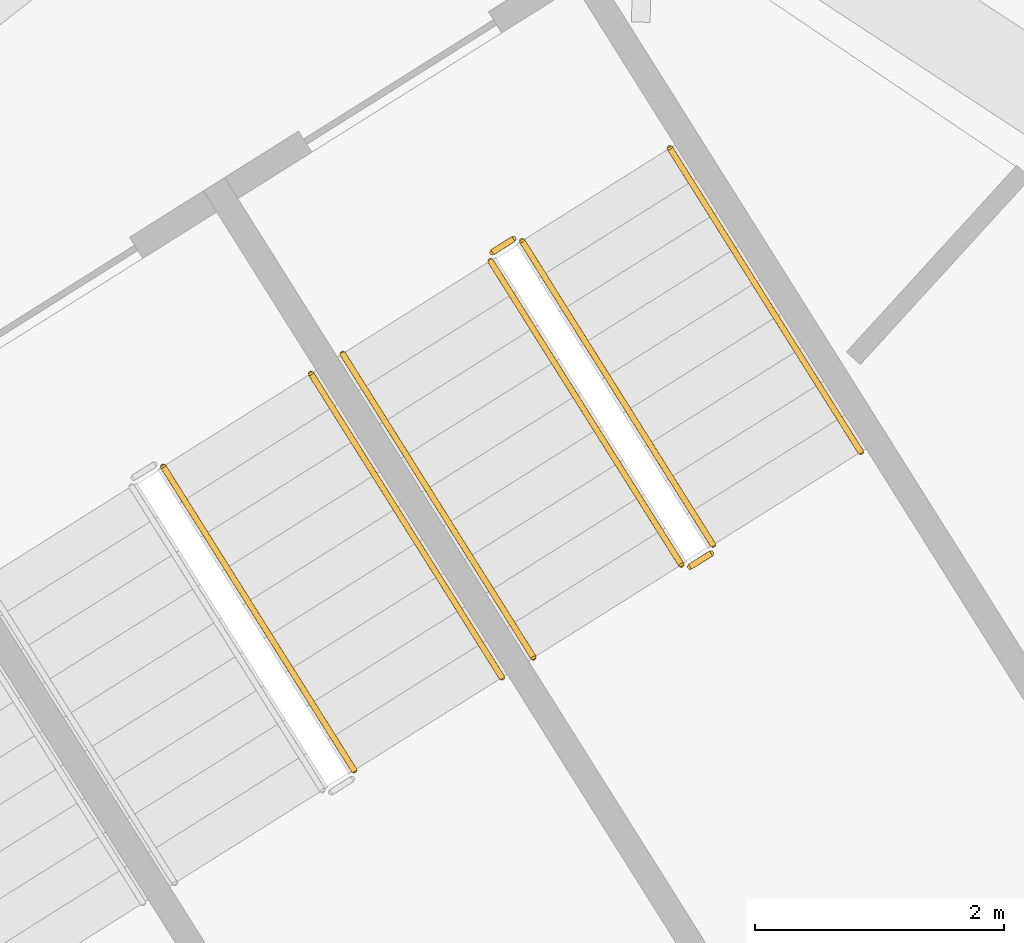
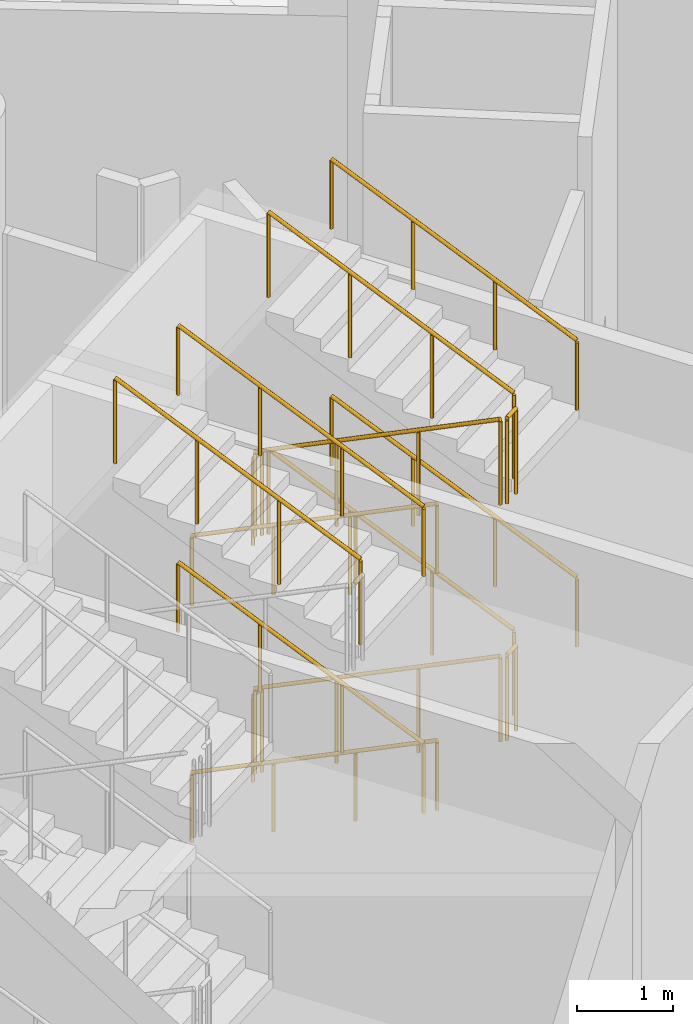
# One storey, part 132 of 173: 15 railings.
"""IFC4 building model written with IfcOpenShell, lengths in metres."""

import ifcopenshell
import ifcopenshell.guid

model = None  # the IFC model being written
_history = None  # IfcOwnerHistory: only IFC2X3 demands one
_inside = {}  # id of a spatial element -> (the spatial element, [elements in it])
_under = {}  # id of a project, library or spatial element -> (it, [spatial elements below it])
_declared = {}  # id of a project -> (the project, [libraries it declares])
_typed = {}  # id of a type object -> (the type object, [elements of that type])
_made_of = {}  # id of a material, layer set ... -> (it, [elements and type objects made of it])


def new_model(schema):
    """Start an empty IFC model of exactly this schema.

    Asked for "IFC4X3", IfcOpenShell would pick the latest addendum, in which some entities
    have other attributes; the version numbers below select the first issue.
    IFC2X3 requires an IfcOwnerHistory on every rooted entity: one is made here for all.
    """
    global model, _history
    if schema == "IFC4X3":
        model = ifcopenshell.file(schema_version=(4, 3, 0, 0))
    else:
        model = ifcopenshell.file(schema=schema)
    _inside.clear()
    _under.clear()
    _declared.clear()
    _typed.clear()
    _made_of.clear()
    _history = None
    if model.schema == "IFC2X3":
        org = make("IfcOrganization", Name="unknown")
        user = make(
            "IfcPersonAndOrganization",
            ThePerson=make("IfcPerson", FamilyName="unknown"),
            TheOrganization=org,
        )
        app = make(
            "IfcApplication",
            ApplicationDeveloper=org,
            Version="unknown",
            ApplicationFullName="unknown",
            ApplicationIdentifier="unknown",
        )
        _history = make(
            "IfcOwnerHistory",
            OwningUser=user,
            OwningApplication=app,
            ChangeAction="ADDED",
            CreationDate=0,
        )
    return model


def make(cls, **values):
    """One entity of the class cls with the attributes given. An attribute that is None is left unset."""
    return model.create_entity(
        cls, **{name: value for name, value in values.items() if value is not None}
    )


def rooted(cls, **values):
    """An entity with a GlobalId (a new one), such as an element, a storey or a relation."""
    return make(cls, GlobalId=ifcopenshell.guid.new(), OwnerHistory=_history, **values)


def si_unit(unit_type, name, prefix=None):
    """IfcSIUnit, for example si_unit("LENGTHUNIT", "METRE", prefix="MILLI")."""
    return make("IfcSIUnit", UnitType=unit_type, Prefix=prefix, Name=name)


def assignment(units):
    """IfcUnitAssignment: the units of a project."""
    return None if units is None else make("IfcUnitAssignment", Units=units)


def point(xyz):
    """IfcCartesianPoint."""
    return None if xyz is None else make("IfcCartesianPoint", Coordinates=xyz)


def direction(xyz):
    """IfcDirection."""
    return None if xyz is None else make("IfcDirection", DirectionRatios=xyz)


def frame(location, z_axis=None, x_axis=None):
    """IfcAxis2Placement3D, a coordinate frame: its origin and axes. An axis left out is left unset."""
    return make(
        "IfcAxis2Placement3D",
        Location=point(location),
        Axis=direction(z_axis),
        RefDirection=direction(x_axis),
    )


def frame_2d(location, x_axis=None):
    """IfcAxis2Placement2D, a coordinate frame in the plane: its origin and x axis."""
    return make(
        "IfcAxis2Placement2D", Location=point(location), RefDirection=direction(x_axis)
    )


def origin():
    """The frame at (0, 0, 0) with its axes left unset."""
    return frame((0.0, 0.0, 0.0))


def origin_2d():
    """The frame at (0, 0) in the plane with its x axis left unset."""
    return frame_2d((0.0, 0.0))


def place(relative_to, where):
    """IfcLocalPlacement: puts the frame where relative to a parent placement (None: the world)."""
    return make(
        "IfcLocalPlacement", PlacementRelTo=relative_to, RelativePlacement=where
    )


def context(
    kind, dimensions, precision=None, world=None, true_north=None, identifier=None
):
    """IfcGeometricRepresentationContext, for example the 3D "Model" context."""
    return make(
        "IfcGeometricRepresentationContext",
        ContextIdentifier=identifier,
        ContextType=kind,
        CoordinateSpaceDimension=dimensions,
        Precision=precision,
        WorldCoordinateSystem=world,
        TrueNorth=true_north,
    )


def subcontext(parent, identifier, kind, view, scale=None):
    """IfcGeometricRepresentationSubContext, for example "Body" below "Model"."""
    return make(
        "IfcGeometricRepresentationSubContext",
        ContextIdentifier=identifier,
        ContextType=kind,
        ParentContext=parent,
        TargetScale=scale,
        TargetView=view,
    )


def project(units=None, contexts=None):
    """IfcProject with its units and contexts."""
    return rooted(
        "IfcProject",
        Name="project",
        RepresentationContexts=contexts,
        UnitsInContext=assignment(units),
    )


def spatial(cls, under=None, at=None, **own):
    """A site, building, storey or space (cls), placed at a placement, below another one or the project."""
    s = rooted(cls, ObjectPlacement=at, **own)
    if under is not None:
        _under.setdefault(under.id(), (under, []))[1].append(s)
    return s


def profile(cls, at=None, kind="AREA", **sizes):
    """A parametric profile (cls). Its sizes go by their IFC names, for example OverallWidth=200.0."""
    return make(cls, ProfileType=kind, Position=at, **sizes)


def circle(**sizes):
    """IfcCircleProfileDef."""
    return profile("IfcCircleProfileDef", **sizes)


def extrude(swept, where, along, depth):
    """IfcExtrudedAreaSolid: the profile swept, set in the frame where, extruded along a direction by depth."""
    return make(
        "IfcExtrudedAreaSolid",
        SweptArea=swept,
        Position=where,
        ExtrudedDirection=direction(along),
        Depth=depth,
    )


def shape(context_of_items, identifier, shape_type, items):
    """IfcShapeRepresentation: the items that make up one representation, for example the "Body"."""
    return make(
        "IfcShapeRepresentation",
        ContextOfItems=context_of_items,
        RepresentationIdentifier=identifier,
        RepresentationType=shape_type,
        Items=items,
    )


def material(Name=None, Category=None):
    """IfcMaterial."""
    return make("IfcMaterial", Name=Name, Category=Category)


def made_of(thing, what):
    """Note that an element or type object is made of a material, layer set ...; save() writes the relation."""
    if what is not None:
        _made_of.setdefault(what.id(), (what, []))[1].append(thing)
    return thing


def type_object(cls, material=None, **own):
    """A type object (cls), such as IfcWallType, which elements share."""
    return made_of(rooted(cls, **own), material)


def element(
    cls,
    number,
    at=None,
    inside=None,
    cuts=None,
    type_object=None,
    material=None,
    context=None,
    identifier="Body",
    shape_type=None,
    held_by="IfcProductDefinitionShape",
    body=None,
    shapes=None,
    **own,
):
    """One element of the class cls, such as IfcWall. Its Tag is "e" and its number.

    at: its placement. inside: the storey or other place that contains it. cuts: it is an
    opening in that element (IfcRelVoidsElement). A single representation is given by context,
    identifier, shape_type and body (its items); several are given by shapes. held_by: the class
    of the entity that holds the representations. save() writes the other relations.
    """
    e = rooted(cls, Tag="e%d" % number, ObjectPlacement=at, **own)
    if body is not None:
        shapes = [shape(context, identifier, shape_type, body)]
    if shapes is not None:
        e.Representation = make(held_by, Representations=shapes)
    if inside is not None:
        _inside.setdefault(inside.id(), (inside, []))[1].append(e)
    if cuts is not None:
        rooted(
            "IfcRelVoidsElement", RelatingBuildingElement=cuts, RelatedOpeningElement=e
        )
    if type_object is not None:
        _typed.setdefault(type_object.id(), (type_object, []))[1].append(e)
    return made_of(e, material)


def aggregate(whole, parts):
    """IfcRelAggregates: a whole, such as a stair, and the parts it consists of."""
    return rooted("IfcRelAggregates", RelatingObject=whole, RelatedObjects=parts)


def save(model, path):
    """Write the relations noted so far, then the file.

    IfcRelAggregates (storeys below a building ...), IfcRelContainedInSpatialStructure (elements
    in a storey), IfcRelDefinesByType, IfcRelAssociatesMaterial and IfcRelDeclares: one each for
    every whole, place, type object, material and project.
    """
    for whole, parts in _under.values():
        aggregate(whole, parts)
    for where, things in _inside.values():
        rooted(
            "IfcRelContainedInSpatialStructure",
            RelatedElements=things,
            RelatingStructure=where,
        )
    for kind, things in _typed.values():
        rooted("IfcRelDefinesByType", RelatedObjects=things, RelatingType=kind)
    for what, things in _made_of.values():
        rooted("IfcRelAssociatesMaterial", RelatedObjects=things, RelatingMaterial=what)
    for by, libraries in _declared.values():
        rooted("IfcRelDeclares", RelatingContext=by, RelatedDefinitions=libraries)
    model.write(path)


model = new_model("IFC4")

# Units and contexts
model_context = context("Model", 3, precision=1e-05, world=origin(), true_north=direction((0.0, 1.0)))
body_context = subcontext(model_context, "Body", "Model", "MODEL_VIEW")
ifc_project = project(units=[si_unit("LENGTHUNIT", "METRE"), si_unit("AREAUNIT", "SQUARE_METRE"), si_unit("VOLUMEUNIT", "CUBIC_METRE"), si_unit("PLANEANGLEUNIT", "RADIAN"), si_unit("MASSUNIT", "GRAM", prefix="KILO")], contexts=[model_context])

# Site, building, storey
site_placement = place(None, origin())
site = spatial("IfcSite", under=ifc_project, at=site_placement, CompositionType="ELEMENT")
building_placement = place(site_placement, origin())
building = spatial("IfcBuilding", under=site, at=building_placement, Name="Meseta Stadium", CompositionType="ELEMENT")
storey_placement = place(building_placement, frame((0.0, 0.0, 18.0)))
storey = spatial("IfcBuildingStorey", under=building, at=storey_placement, Name="L03", CompositionType="ELEMENT", Elevation=18.0)

# Railings
ifc_material_1 = material(Name="Steel S355", Category="steel")
railing_type_1 = type_object("IfcRailingType", Name="Stair guard 1100", PredefinedType="GUARDRAIL", material=ifc_material_1)
railing_1_placement = place(storey_placement, frame((72.029296875, -87.947998046875, 4.64990234375)))
element("IfcRailing", 1, at=railing_1_placement, inside=storey, type_object=railing_type_1, Name="ST107 L03 guard 7", PredefinedType="GUARDRAIL", context=body_context, shape_type="SweptSolid", body=[
    extrude(circle(Radius=0.02392578125, at=origin_2d()), frame((0.0, 0.0, 1.076171875), z_axis=(-0.481731036161, 0.766655447606, 0.424469826318), x_axis=(-0.846719477248, -0.53203959143, 0.0)), (0.0, 0.0, 1.0), 3.1806640625),
    extrude(circle(Radius=0.02099609375, at=origin_2d()), origin(), (0.0, 0.0, 1.0), 1.052001953125),
    extrude(circle(Radius=0.02099609375, at=origin_2d()), frame((-0.5107421875, 0.812744140625, 0.449951171875)), (0.0, 0.0, 1.0), 1.052001953125),
    extrude(circle(Radius=0.02099609375, at=origin_2d()), frame((-1.021484375, 1.625732421875, 0.900146484375)), (0.0, 0.0, 1.0), 1.052001953125),
    extrude(circle(Radius=0.02099609375, at=origin_2d()), frame((-1.5322265625, 2.4384765625, 1.35009765625)), (0.0, 0.0, 1.0), 1.052001953125),
])
railing_2_placement = place(storey_placement, frame((73.121826171875, -83.8603515625, 0.14990234375)))
element("IfcRailing", 2, at=railing_2_placement, inside=storey, type_object=railing_type_1, Name="ST108 L03 guard 1", PredefinedType="GUARDRAIL", context=body_context, shape_type="SweptSolid", body=[
    extrude(circle(Radius=0.02392578125, at=origin_2d()), frame((0.0, 0.0, 1.076171875), z_axis=(0.481731036161, -0.766655447606, 0.424469826318), x_axis=(0.846719477248, 0.53203959143, 0.0)), (0.0, 0.0, 1.0), 3.1806640625),
    extrude(circle(Radius=0.02099609375, at=origin_2d()), origin(), (0.0, 0.0, 1.0), 1.052001953125),
    extrude(circle(Radius=0.02099609375, at=origin_2d()), frame((0.5107421875, -0.812744140625, 0.449951171875)), (0.0, 0.0, 1.0), 1.052001953125),
    extrude(circle(Radius=0.02099609375, at=origin_2d()), frame((1.021484375, -1.625732421875, 0.900146484375)), (0.0, 0.0, 1.0), 1.052001953125),
    extrude(circle(Radius=0.02099609375, at=origin_2d()), frame((1.5322265625, -2.4384765625, 1.35009765625)), (0.0, 0.0, 1.0), 1.052001953125),
])
railing_3_placement = place(storey_placement, frame((74.72314453125, -86.314453125, 1.5)))
element("IfcRailing", 3, at=railing_3_placement, inside=storey, type_object=railing_type_1, Name="ST108 L03 guard 2", PredefinedType="GUARDRAIL", context=body_context, shape_type="SweptSolid", body=[
    extrude(circle(Radius=0.02392578125, at=origin_2d()), frame((0.0, 0.0, 1.076171875), z_axis=(0.846966780732, 0.531645814745, 0.0), x_axis=(-0.531645814745, 0.846966780732, 0.0)), (0.0, 0.0, 1.0), 0.19970703125),
    extrude(circle(Radius=0.02099609375, at=origin_2d()), origin(), (0.0, 0.0, 1.0), 1.052001953125),
    extrude(circle(Radius=0.02099609375, at=origin_2d()), frame((0.169189453125, 0.106201171875, 0.0)), (0.0, 0.0, 1.0), 1.052001953125),
])
railing_4_placement = place(storey_placement, frame((74.908203125, -86.13916015625, 1.64990234375)))
element("IfcRailing", 4, at=railing_4_placement, inside=storey, type_object=railing_type_1, Name="ST108 L03 guard 3", PredefinedType="GUARDRAIL", context=body_context, shape_type="SweptSolid", body=[
    extrude(circle(Radius=0.02392578125, at=origin_2d()), frame((0.0, 0.0, 1.076171875), z_axis=(-0.481731036161, 0.766655447606, 0.424469826318), x_axis=(-0.846719477248, -0.53203959143, 0.0)), (0.0, 0.0, 1.0), 3.1806640625),
    extrude(circle(Radius=0.02099609375, at=origin_2d()), origin(), (0.0, 0.0, 1.0), 1.052001953125),
    extrude(circle(Radius=0.02099609375, at=origin_2d()), frame((-0.5107421875, 0.812744140625, 0.449951171875)), (0.0, 0.0, 1.0), 1.052001953125),
    extrude(circle(Radius=0.02099609375, at=origin_2d()), frame((-1.021484375, 1.625732421875, 0.900146484375)), (0.0, 0.0, 1.0), 1.052001953125),
    extrude(circle(Radius=0.02099609375, at=origin_2d()), frame((-1.5322265625, 2.4384765625, 1.35009765625)), (0.0, 0.0, 1.0), 1.052001953125),
])
railing_5_placement = place(storey_placement, frame((73.1376953125, -83.791259765625, 3.0)))
element("IfcRailing", 5, at=railing_5_placement, inside=storey, type_object=railing_type_1, Name="ST108 L03 guard 4", PredefinedType="GUARDRAIL", context=body_context, shape_type="SweptSolid", body=[
    extrude(circle(Radius=0.02392578125, at=origin_2d()), frame((0.0, 0.0, 1.076171875), z_axis=(0.846416356806, 0.532521690573, 0.0), x_axis=(-0.532521690573, 0.846416356806, 0.0)), (0.0, 0.0, 1.0), 0.199951171875),
    extrude(circle(Radius=0.02099609375, at=origin_2d()), origin(), (0.0, 0.0, 1.0), 1.052001953125),
    extrude(circle(Radius=0.02099609375, at=origin_2d()), frame((0.169189453125, 0.1064453125, 0.0)), (0.0, 0.0, 1.0), 1.052001953125),
])
railing_6_placement = place(storey_placement, frame((73.121826171875, -83.8603515625, 3.14990234375)))
element("IfcRailing", 6, at=railing_6_placement, inside=storey, type_object=railing_type_1, Name="ST108 L03 guard 5", PredefinedType="GUARDRAIL", context=body_context, shape_type="SweptSolid", body=[
    extrude(circle(Radius=0.02392578125, at=origin_2d()), frame((0.0, 0.0, 1.076171875), z_axis=(0.481731036161, -0.766655447606, 0.424469826318), x_axis=(0.846719477248, 0.53203959143, 0.0)), (0.0, 0.0, 1.0), 3.1806640625),
    extrude(circle(Radius=0.02099609375, at=origin_2d()), origin(), (0.0, 0.0, 1.0), 1.052001953125),
    extrude(circle(Radius=0.02099609375, at=origin_2d()), frame((0.5107421875, -0.812744140625, 0.449951171875)), (0.0, 0.0, 1.0), 1.052001953125),
    extrude(circle(Radius=0.02099609375, at=origin_2d()), frame((1.021484375, -1.625732421875, 0.900146484375)), (0.0, 0.0, 1.0), 1.052001953125),
    extrude(circle(Radius=0.02099609375, at=origin_2d()), frame((1.5322265625, -2.4384765625, 1.35009765625)), (0.0, 0.0, 1.0), 1.052001953125),
])
railing_7_placement = place(storey_placement, frame((74.72314453125, -86.314453125, 4.5)))
element("IfcRailing", 7, at=railing_7_placement, inside=storey, type_object=railing_type_1, Name="ST108 L03 guard 6", PredefinedType="GUARDRAIL", context=body_context, shape_type="SweptSolid", body=[
    extrude(circle(Radius=0.02392578125, at=origin_2d()), frame((0.0, 0.0, 1.076171875), z_axis=(0.846966780732, 0.531645814745, 0.0), x_axis=(-0.531645814745, 0.846966780732, 0.0)), (0.0, 0.0, 1.0), 0.19970703125),
    extrude(circle(Radius=0.02099609375, at=origin_2d()), origin(), (0.0, 0.0, 1.0), 1.052001953125),
    extrude(circle(Radius=0.02099609375, at=origin_2d()), frame((0.169189453125, 0.106201171875, 0.0)), (0.0, 0.0, 1.0), 1.052001953125),
])
railing_8_placement = place(storey_placement, frame((74.908203125, -86.13916015625, 4.64990234375)))
element("IfcRailing", 8, at=railing_8_placement, inside=storey, type_object=railing_type_1, Name="ST108 L03 guard 7", PredefinedType="GUARDRAIL", context=body_context, shape_type="SweptSolid", body=[
    extrude(circle(Radius=0.02392578125, at=origin_2d()), frame((0.0, 0.0, 1.076171875), z_axis=(-0.481731036161, 0.766655447606, 0.424469826318), x_axis=(-0.846719477248, -0.53203959143, 0.0)), (0.0, 0.0, 1.0), 3.1806640625),
    extrude(circle(Radius=0.02099609375, at=origin_2d()), origin(), (0.0, 0.0, 1.0), 1.052001953125),
    extrude(circle(Radius=0.02099609375, at=origin_2d()), frame((-0.5107421875, 0.812744140625, 0.449951171875)), (0.0, 0.0, 1.0), 1.052001953125),
    extrude(circle(Radius=0.02099609375, at=origin_2d()), frame((-1.021484375, 1.625732421875, 0.900146484375)), (0.0, 0.0, 1.0), 1.052001953125),
    extrude(circle(Radius=0.02099609375, at=origin_2d()), frame((-1.5322265625, 2.4384765625, 1.35009765625)), (0.0, 0.0, 1.0), 1.052001953125),
])
railing_9_placement = place(storey_placement, frame((73.1376953125, -83.791259765625, 0.0)))
element("IfcRailing", 9, at=railing_9_placement, inside=storey, type_object=railing_type_1, Name="ST108 L03 guard 8", PredefinedType="GUARDRAIL", context=body_context, shape_type="SweptSolid", body=[
    extrude(circle(Radius=0.02392578125, at=origin_2d()), frame((0.0, 0.0, 1.076171875), z_axis=(0.846416356806, 0.532521690573, 0.0), x_axis=(-0.532521690573, 0.846416356806, 0.0)), (0.0, 0.0, 1.0), 0.199951171875),
    extrude(circle(Radius=0.02099609375, at=origin_2d()), origin(), (0.0, 0.0, 1.0), 1.052001953125),
    extrude(circle(Radius=0.02099609375, at=origin_2d()), frame((0.169189453125, 0.1064453125, 0.0)), (0.0, 0.0, 1.0), 1.052001953125),
])
ifc_material_2 = material(Name="Steel S355", Category="steel")
railing_type_2 = type_object("IfcRailingType", Name="Stair handrail 900", PredefinedType="HANDRAIL", material=ifc_material_2)
for number, where, name in (
    (10, (73.214599609375, -87.203369140625, 1.64990234375), "ST107 L03 handrail 2"),
    (11, (73.214599609375, -87.203369140625, 4.64990234375), "ST107 L03 handrail 4"),
):
    element("IfcRailing", number, at=place(storey_placement, frame(where)), inside=storey, type_object=railing_type_2, Name=name, PredefinedType="HANDRAIL", context=body_context, shape_type="SweptSolid", body=[
        extrude(circle(Radius=0.02392578125, at=origin_2d()), frame((0.0, 0.0, 0.8759765625), z_axis=(-0.481702688975, 0.766687087345, 0.424444848635), x_axis=(-0.84674347122, -0.532001404082, 0.0)), (0.0, 0.0, 1.0), 3.180908203125),
        extrude(circle(Radius=0.02099609375, at=origin_2d()), origin(), (0.0, 0.0, 1.0), 0.851806640625),
        extrude(circle(Radius=0.02099609375, at=origin_2d()), frame((-0.5107421875, 0.81298828125, 0.449951171875)), (0.0, 0.0, 1.0), 0.851806640625),
        extrude(circle(Radius=0.02099609375, at=origin_2d()), frame((-1.021484375, 1.625732421875, 0.900146484375)), (0.0, 0.0, 1.0), 0.851806640625),
        extrude(circle(Radius=0.02099609375, at=origin_2d()), frame((-1.5322265625, 2.438720703125, 1.35009765625)), (0.0, 0.0, 1.0), 0.851806640625),
    ])
railing_10_placement = place(storey_placement, frame((71.9365234375, -84.60498046875, 0.14990234375)))
element("IfcRailing", 12, at=railing_10_placement, inside=storey, type_object=railing_type_2, Name="ST108 L03 handrail 1", PredefinedType="HANDRAIL", context=body_context, shape_type="SweptSolid", body=[
    extrude(circle(Radius=0.02392578125, at=origin_2d()), frame((0.0, 0.0, 0.8759765625), z_axis=(0.481702688975, -0.766687087345, 0.424444848635), x_axis=(0.84674347122, 0.532001404082, 0.0)), (0.0, 0.0, 1.0), 3.180908203125),
    extrude(circle(Radius=0.02099609375, at=origin_2d()), origin(), (0.0, 0.0, 1.0), 0.851806640625),
    extrude(circle(Radius=0.02099609375, at=origin_2d()), frame((0.5107421875, -0.81298828125, 0.449951171875)), (0.0, 0.0, 1.0), 0.851806640625),
    extrude(circle(Radius=0.02099609375, at=origin_2d()), frame((1.021484375, -1.625732421875, 0.900146484375)), (0.0, 0.0, 1.0), 0.851806640625),
    extrude(circle(Radius=0.02099609375, at=origin_2d()), frame((1.5322265625, -2.438720703125, 1.35009765625)), (0.0, 0.0, 1.0), 0.851806640625),
])
railing_11_placement = place(storey_placement, frame((76.093505859375, -85.394287109375, 1.64990234375)))
element("IfcRailing", 13, at=railing_11_placement, inside=storey, type_object=railing_type_2, Name="ST108 L03 handrail 2", PredefinedType="HANDRAIL", context=body_context, shape_type="SweptSolid", body=[
    extrude(circle(Radius=0.02392578125, at=origin_2d()), frame((0.0, 0.0, 0.8759765625), z_axis=(-0.481731036161, 0.766655447606, 0.424469826318), x_axis=(-0.846719477248, -0.53203959143, 0.0)), (0.0, 0.0, 1.0), 3.1806640625),
    extrude(circle(Radius=0.02099609375, at=origin_2d()), origin(), (0.0, 0.0, 1.0), 0.851806640625),
    extrude(circle(Radius=0.02099609375, at=origin_2d()), frame((-0.5107421875, 0.812744140625, 0.449951171875)), (0.0, 0.0, 1.0), 0.851806640625),
    extrude(circle(Radius=0.02099609375, at=origin_2d()), frame((-1.021484375, 1.625732421875, 0.900146484375)), (0.0, 0.0, 1.0), 0.851806640625),
    extrude(circle(Radius=0.02099609375, at=origin_2d()), frame((-1.5322265625, 2.4384765625, 1.35009765625)), (0.0, 0.0, 1.0), 0.851806640625),
])
railing_12_placement = place(storey_placement, frame((71.9365234375, -84.60498046875, 3.14990234375)))
element("IfcRailing", 14, at=railing_12_placement, inside=storey, type_object=railing_type_2, Name="ST108 L03 handrail 3", PredefinedType="HANDRAIL", context=body_context, shape_type="SweptSolid", body=[
    extrude(circle(Radius=0.02392578125, at=origin_2d()), frame((0.0, 0.0, 0.8759765625), z_axis=(0.481702688975, -0.766687087345, 0.424444848635), x_axis=(0.84674347122, 0.532001404082, 0.0)), (0.0, 0.0, 1.0), 3.180908203125),
    extrude(circle(Radius=0.02099609375, at=origin_2d()), origin(), (0.0, 0.0, 1.0), 0.851806640625),
    extrude(circle(Radius=0.02099609375, at=origin_2d()), frame((0.5107421875, -0.81298828125, 0.449951171875)), (0.0, 0.0, 1.0), 0.851806640625),
    extrude(circle(Radius=0.02099609375, at=origin_2d()), frame((1.021484375, -1.625732421875, 0.900146484375)), (0.0, 0.0, 1.0), 0.851806640625),
    extrude(circle(Radius=0.02099609375, at=origin_2d()), frame((1.5322265625, -2.438720703125, 1.35009765625)), (0.0, 0.0, 1.0), 0.851806640625),
])
railing_13_placement = place(storey_placement, frame((76.093505859375, -85.394287109375, 4.64990234375)))
element("IfcRailing", 15, at=railing_13_placement, inside=storey, type_object=railing_type_2, Name="ST108 L03 handrail 4", PredefinedType="HANDRAIL", context=body_context, shape_type="SweptSolid", body=[
    extrude(circle(Radius=0.02392578125, at=origin_2d()), frame((0.0, 0.0, 0.8759765625), z_axis=(-0.481731036161, 0.766655447606, 0.424469826318), x_axis=(-0.846719477248, -0.53203959143, 0.0)), (0.0, 0.0, 1.0), 3.1806640625),
    extrude(circle(Radius=0.02099609375, at=origin_2d()), origin(), (0.0, 0.0, 1.0), 0.851806640625),
    extrude(circle(Radius=0.02099609375, at=origin_2d()), frame((-0.5107421875, 0.812744140625, 0.449951171875)), (0.0, 0.0, 1.0), 0.851806640625),
    extrude(circle(Radius=0.02099609375, at=origin_2d()), frame((-1.021484375, 1.625732421875, 0.900146484375)), (0.0, 0.0, 1.0), 0.851806640625),
    extrude(circle(Radius=0.02099609375, at=origin_2d()), frame((-1.5322265625, 2.4384765625, 1.35009765625)), (0.0, 0.0, 1.0), 0.851806640625),
])

save(model, "model.ifc")
